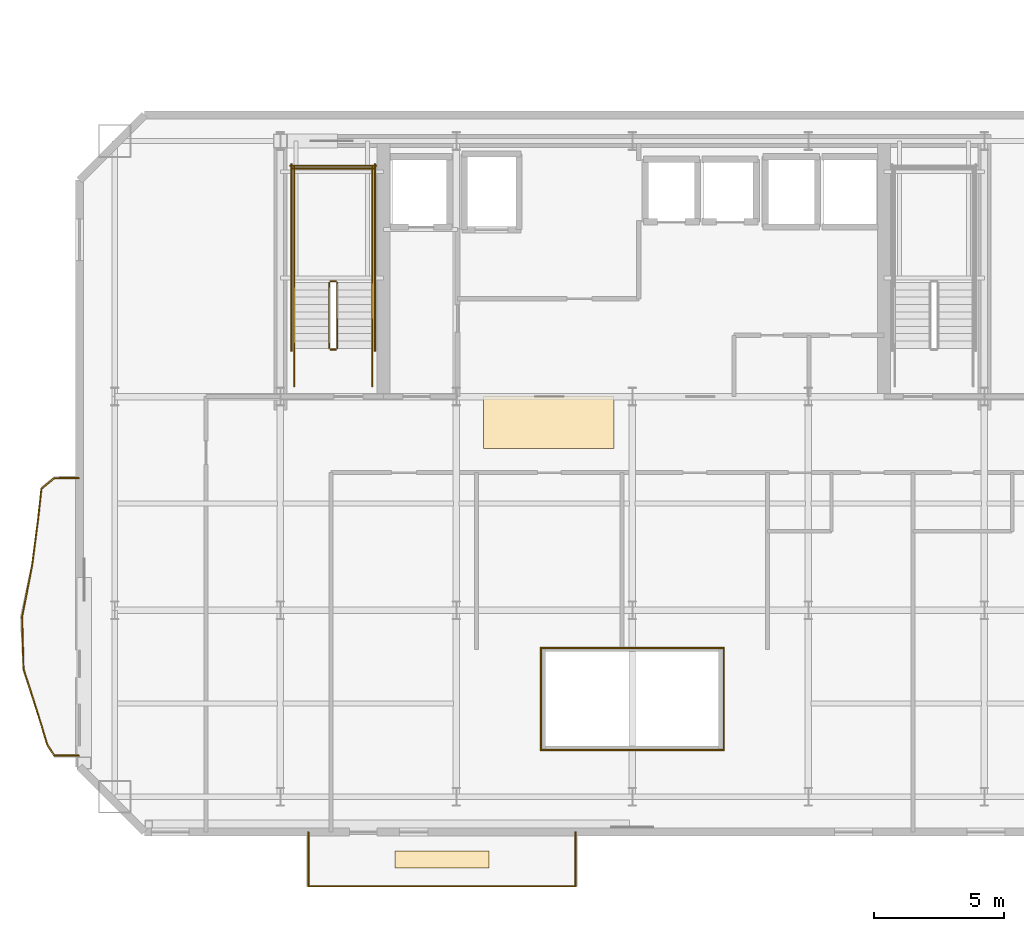
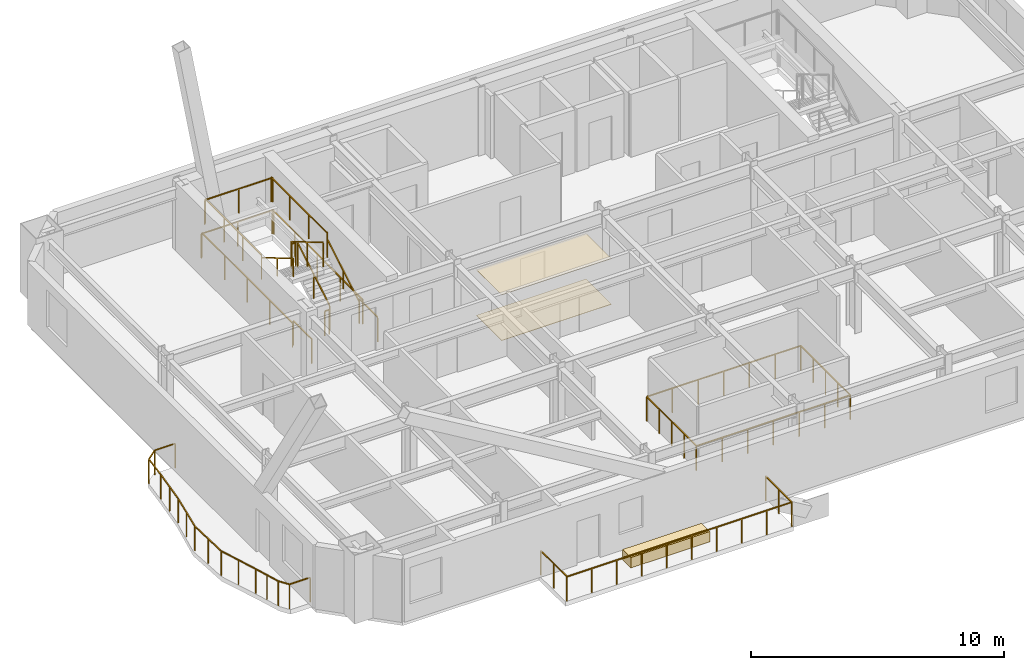
# One storey, part 10 of 13: 31 railings, 3 coverings.
"""IFC4 building model written with IfcOpenShell, lengths in metres."""

import ifcopenshell
import ifcopenshell.guid

model = None  # the IFC model being written
_history = None  # IfcOwnerHistory: only IFC2X3 demands one
_inside = {}  # id of a spatial element -> (the spatial element, [elements in it])
_under = {}  # id of a project, library or spatial element -> (it, [spatial elements below it])
_declared = {}  # id of a project -> (the project, [libraries it declares])
_typed = {}  # id of a type object -> (the type object, [elements of that type])
_made_of = {}  # id of a material, layer set ... -> (it, [elements and type objects made of it])


def new_model(schema):
    """Start an empty IFC model of exactly this schema.

    Asked for "IFC4X3", IfcOpenShell would pick the latest addendum, in which some entities
    have other attributes; the version numbers below select the first issue.
    IFC2X3 requires an IfcOwnerHistory on every rooted entity: one is made here for all.
    """
    global model, _history
    if schema == "IFC4X3":
        model = ifcopenshell.file(schema_version=(4, 3, 0, 0))
    else:
        model = ifcopenshell.file(schema=schema)
    _inside.clear()
    _under.clear()
    _declared.clear()
    _typed.clear()
    _made_of.clear()
    _history = None
    if model.schema == "IFC2X3":
        org = make("IfcOrganization", Name="unknown")
        user = make(
            "IfcPersonAndOrganization",
            ThePerson=make("IfcPerson", FamilyName="unknown"),
            TheOrganization=org,
        )
        app = make(
            "IfcApplication",
            ApplicationDeveloper=org,
            Version="unknown",
            ApplicationFullName="unknown",
            ApplicationIdentifier="unknown",
        )
        _history = make(
            "IfcOwnerHistory",
            OwningUser=user,
            OwningApplication=app,
            ChangeAction="ADDED",
            CreationDate=0,
        )
    return model


def make(cls, **values):
    """One entity of the class cls with the attributes given. An attribute that is None is left unset."""
    return model.create_entity(
        cls, **{name: value for name, value in values.items() if value is not None}
    )


def rooted(cls, **values):
    """An entity with a GlobalId (a new one), such as an element, a storey or a relation."""
    return make(cls, GlobalId=ifcopenshell.guid.new(), OwnerHistory=_history, **values)


def si_unit(unit_type, name, prefix=None):
    """IfcSIUnit, for example si_unit("LENGTHUNIT", "METRE", prefix="MILLI")."""
    return make("IfcSIUnit", UnitType=unit_type, Prefix=prefix, Name=name)


def assignment(units):
    """IfcUnitAssignment: the units of a project."""
    return None if units is None else make("IfcUnitAssignment", Units=units)


def point(xyz):
    """IfcCartesianPoint."""
    return None if xyz is None else make("IfcCartesianPoint", Coordinates=xyz)


def direction(xyz):
    """IfcDirection."""
    return None if xyz is None else make("IfcDirection", DirectionRatios=xyz)


def frame(location, z_axis=None, x_axis=None):
    """IfcAxis2Placement3D, a coordinate frame: its origin and axes. An axis left out is left unset."""
    return make(
        "IfcAxis2Placement3D",
        Location=point(location),
        Axis=direction(z_axis),
        RefDirection=direction(x_axis),
    )


def frame_2d(location, x_axis=None):
    """IfcAxis2Placement2D, a coordinate frame in the plane: its origin and x axis."""
    return make(
        "IfcAxis2Placement2D", Location=point(location), RefDirection=direction(x_axis)
    )


def origin():
    """The frame at (0, 0, 0) with its axes left unset."""
    return frame((0.0, 0.0, 0.0))


def origin_2d():
    """The frame at (0, 0) in the plane with its x axis left unset."""
    return frame_2d((0.0, 0.0))


def place(relative_to, where):
    """IfcLocalPlacement: puts the frame where relative to a parent placement (None: the world)."""
    return make(
        "IfcLocalPlacement", PlacementRelTo=relative_to, RelativePlacement=where
    )


def context(
    kind, dimensions, precision=None, world=None, true_north=None, identifier=None
):
    """IfcGeometricRepresentationContext, for example the 3D "Model" context."""
    return make(
        "IfcGeometricRepresentationContext",
        ContextIdentifier=identifier,
        ContextType=kind,
        CoordinateSpaceDimension=dimensions,
        Precision=precision,
        WorldCoordinateSystem=world,
        TrueNorth=true_north,
    )


def subcontext(parent, identifier, kind, view, scale=None):
    """IfcGeometricRepresentationSubContext, for example "Body" below "Model"."""
    return make(
        "IfcGeometricRepresentationSubContext",
        ContextIdentifier=identifier,
        ContextType=kind,
        ParentContext=parent,
        TargetScale=scale,
        TargetView=view,
    )


def project(units=None, contexts=None):
    """IfcProject with its units and contexts."""
    return rooted(
        "IfcProject",
        Name="project",
        RepresentationContexts=contexts,
        UnitsInContext=assignment(units),
    )


def spatial(cls, under=None, at=None, **own):
    """A site, building, storey or space (cls), placed at a placement, below another one or the project."""
    s = rooted(cls, ObjectPlacement=at, **own)
    if under is not None:
        _under.setdefault(under.id(), (under, []))[1].append(s)
    return s


def polyline(points):
    """IfcPolyline through the points."""
    return make("IfcPolyline", Points=[point(p) for p in points])


def profile(cls, at=None, kind="AREA", **sizes):
    """A parametric profile (cls). Its sizes go by their IFC names, for example OverallWidth=200.0."""
    return make(cls, ProfileType=kind, Position=at, **sizes)


def rectangle(**sizes):
    """IfcRectangleProfileDef."""
    return profile("IfcRectangleProfileDef", **sizes)


def outline(outer, holes=None, kind="AREA"):
    """IfcArbitraryClosedProfileDef: a profile drawn as a closed curve; with holes, ...WithVoids."""
    if holes is None:
        return make("IfcArbitraryClosedProfileDef", ProfileType=kind, OuterCurve=outer)
    return make(
        "IfcArbitraryProfileDefWithVoids",
        ProfileType=kind,
        OuterCurve=outer,
        InnerCurves=holes,
    )


def extrude(swept, where, along, depth):
    """IfcExtrudedAreaSolid: the profile swept, set in the frame where, extruded along a direction by depth."""
    return make(
        "IfcExtrudedAreaSolid",
        SweptArea=swept,
        Position=where,
        ExtrudedDirection=direction(along),
        Depth=depth,
    )


def shape(context_of_items, identifier, shape_type, items):
    """IfcShapeRepresentation: the items that make up one representation, for example the "Body"."""
    return make(
        "IfcShapeRepresentation",
        ContextOfItems=context_of_items,
        RepresentationIdentifier=identifier,
        RepresentationType=shape_type,
        Items=items,
    )


def material(Name=None, Category=None):
    """IfcMaterial."""
    return make("IfcMaterial", Name=Name, Category=Category)


def layer(
    of_material, thickness, ventilated=None, Name=None, Category=None, Priority=None
):
    """IfcMaterialLayer: one layer of a wall or slab, of a material (None: an air gap)."""
    return make(
        "IfcMaterialLayer",
        Material=of_material,
        LayerThickness=thickness,
        IsVentilated=ventilated,
        Name=Name,
        Category=Category,
        Priority=Priority,
    )


def layer_set(layers, Name=None):
    """IfcMaterialLayerSet."""
    return make("IfcMaterialLayerSet", MaterialLayers=layers, LayerSetName=Name)


def made_of(thing, what):
    """Note that an element or type object is made of a material, layer set ...; save() writes the relation."""
    if what is not None:
        _made_of.setdefault(what.id(), (what, []))[1].append(thing)
    return thing


def type_object(cls, material=None, **own):
    """A type object (cls), such as IfcWallType, which elements share."""
    return made_of(rooted(cls, **own), material)


def element(
    cls,
    number,
    at=None,
    inside=None,
    cuts=None,
    type_object=None,
    material=None,
    context=None,
    identifier="Body",
    shape_type=None,
    held_by="IfcProductDefinitionShape",
    body=None,
    shapes=None,
    **own,
):
    """One element of the class cls, such as IfcWall. Its Tag is "e" and its number.

    at: its placement. inside: the storey or other place that contains it. cuts: it is an
    opening in that element (IfcRelVoidsElement). A single representation is given by context,
    identifier, shape_type and body (its items); several are given by shapes. held_by: the class
    of the entity that holds the representations. save() writes the other relations.
    """
    e = rooted(cls, Tag="e%d" % number, ObjectPlacement=at, **own)
    if body is not None:
        shapes = [shape(context, identifier, shape_type, body)]
    if shapes is not None:
        e.Representation = make(held_by, Representations=shapes)
    if inside is not None:
        _inside.setdefault(inside.id(), (inside, []))[1].append(e)
    if cuts is not None:
        rooted(
            "IfcRelVoidsElement", RelatingBuildingElement=cuts, RelatedOpeningElement=e
        )
    if type_object is not None:
        _typed.setdefault(type_object.id(), (type_object, []))[1].append(e)
    return made_of(e, material)


def aggregate(whole, parts):
    """IfcRelAggregates: a whole, such as a stair, and the parts it consists of."""
    return rooted("IfcRelAggregates", RelatingObject=whole, RelatedObjects=parts)


def save(model, path):
    """Write the relations noted so far, then the file.

    IfcRelAggregates (storeys below a building ...), IfcRelContainedInSpatialStructure (elements
    in a storey), IfcRelDefinesByType, IfcRelAssociatesMaterial and IfcRelDeclares: one each for
    every whole, place, type object, material and project.
    """
    for whole, parts in _under.values():
        aggregate(whole, parts)
    for where, things in _inside.values():
        rooted(
            "IfcRelContainedInSpatialStructure",
            RelatedElements=things,
            RelatingStructure=where,
        )
    for kind, things in _typed.values():
        rooted("IfcRelDefinesByType", RelatedObjects=things, RelatingType=kind)
    for what, things in _made_of.values():
        rooted("IfcRelAssociatesMaterial", RelatedObjects=things, RelatingMaterial=what)
    for by, libraries in _declared.values():
        rooted("IfcRelDeclares", RelatingContext=by, RelatedDefinitions=libraries)
    model.write(path)


model = new_model("IFC4")

# Units and contexts
model_context = context("Model", 3, precision=1e-05, world=origin(), true_north=direction((0.0, 1.0)))
body_context = subcontext(model_context, "Body", "Model", "MODEL_VIEW")
ifc_project = project(units=[si_unit("LENGTHUNIT", "METRE"), si_unit("AREAUNIT", "SQUARE_METRE"), si_unit("VOLUMEUNIT", "CUBIC_METRE"), si_unit("PLANEANGLEUNIT", "RADIAN"), si_unit("MASSUNIT", "GRAM", prefix="KILO")], contexts=[model_context])

# Site, building, storey
site_placement = place(None, origin())
site = spatial("IfcSite", under=ifc_project, at=site_placement, CompositionType="ELEMENT")
building_placement = place(site_placement, origin())
building = spatial("IfcBuilding", under=site, at=building_placement, Name="Haevon Station Towers", CompositionType="ELEMENT")
storey_placement = place(building_placement, frame((0.0, 0.0, 146.10009765625)))
storey = spatial("IfcBuildingStorey", under=building, at=storey_placement, Name="L39", CompositionType="ELEMENT", Elevation=146.10009765625)

# Railings
ifc_material_1 = material(Name="Steel S355", Category="steel")
railing_type_1 = type_object("IfcRailingType", Name="BAL-ATR1200", PredefinedType="BALUSTRADE", material=ifc_material_1)
railing_1_placement = place(storey_placement, frame((33.995361328125, 24.641357421875, 0.0)))
element("IfcRailing", 1, at=railing_1_placement, inside=storey, type_object=railing_type_1, Name="L39 Atrium Void Balustrade 1", PredefinedType="BALUSTRADE", context=body_context, shape_type="SweptSolid", body=[
    extrude(rectangle(XDim=0.048095703125, YDim=0.048095703125, at=origin_2d()), frame((0.0, 0.0, 1.17578125), z_axis=(1.0, 0.0, 0.0), x_axis=(0.0, 1.0, 0.0)), (0.0, 0.0, 1.0), 7.00927734375),
    extrude(rectangle(XDim=0.0419921875, YDim=0.0419921875, at=origin_2d()), origin(), (0.0, 0.0, 1.0), 1.15185546875),
    extrude(rectangle(XDim=0.0419921875, YDim=0.0419921875, at=origin_2d()), frame((1.168212890625, 0.0, 0.0)), (0.0, 0.0, 1.0), 1.15185546875),
    extrude(rectangle(XDim=0.0419921875, YDim=0.0419921875, at=origin_2d()), frame((2.33642578125, 0.0, 0.0)), (0.0, 0.0, 1.0), 1.15185546875),
    extrude(rectangle(XDim=0.0419921875, YDim=0.0419921875, at=origin_2d()), frame((3.504638671875, 0.0, 0.0)), (0.0, 0.0, 1.0), 1.15185546875),
    extrude(rectangle(XDim=0.0419921875, YDim=0.0419921875, at=origin_2d()), frame((4.6728515625, 0.0, 0.0)), (0.0, 0.0, 1.0), 1.15185546875),
    extrude(rectangle(XDim=0.0419921875, YDim=0.0419921875, at=origin_2d()), frame((5.841064453125, 0.0, 0.0)), (0.0, 0.0, 1.0), 1.15185546875),
    extrude(rectangle(XDim=0.0419921875, YDim=0.0419921875, at=origin_2d()), frame((7.00927734375, 0.0, 0.0)), (0.0, 0.0, 1.0), 1.15185546875),
])
railing_2_placement = place(storey_placement, frame((41.004638671875, 24.641357421875, 0.0)))
element("IfcRailing", 2, at=railing_2_placement, inside=storey, type_object=railing_type_1, Name="L39 Atrium Void Balustrade 2", PredefinedType="BALUSTRADE", context=body_context, shape_type="SweptSolid", body=[
    extrude(rectangle(XDim=0.048095703125, YDim=0.048095703125, at=origin_2d()), frame((0.0, 0.0, 1.17578125), z_axis=(0.0, 1.0, 0.0), x_axis=(-1.0, 0.0, 0.0)), (0.0, 0.0, 1.0), 3.917236328125),
    extrude(rectangle(XDim=0.0419921875, YDim=0.0419921875, at=origin_2d()), origin(), (0.0, 0.0, 1.0), 1.15185546875),
    extrude(rectangle(XDim=0.0419921875, YDim=0.0419921875, at=origin_2d()), frame((0.0, 0.979248046875, 0.0)), (0.0, 0.0, 1.0), 1.15185546875),
    extrude(rectangle(XDim=0.0419921875, YDim=0.0419921875, at=origin_2d()), frame((0.0, 1.95849609375, 0.0)), (0.0, 0.0, 1.0), 1.15185546875),
    extrude(rectangle(XDim=0.0419921875, YDim=0.0419921875, at=origin_2d()), frame((0.0, 2.93798828125, 0.0)), (0.0, 0.0, 1.0), 1.15185546875),
    extrude(rectangle(XDim=0.0419921875, YDim=0.0419921875, at=origin_2d()), frame((0.0, 3.917236328125, 0.0)), (0.0, 0.0, 1.0), 1.15185546875),
])
railing_3_placement = place(storey_placement, frame((41.004638671875, 28.55859375, 0.0)))
element("IfcRailing", 3, at=railing_3_placement, inside=storey, type_object=railing_type_1, Name="L39 Atrium Void Balustrade 3", PredefinedType="BALUSTRADE", context=body_context, shape_type="SweptSolid", body=[
    extrude(rectangle(XDim=0.048095703125, YDim=0.048095703125, at=origin_2d()), frame((0.0, 0.0, 1.17578125), z_axis=(-1.0, 0.0, 0.0), x_axis=(0.0, -1.0, 0.0)), (0.0, 0.0, 1.0), 7.00927734375),
    extrude(rectangle(XDim=0.0419921875, YDim=0.0419921875, at=origin_2d()), origin(), (0.0, 0.0, 1.0), 1.15185546875),
    extrude(rectangle(XDim=0.0419921875, YDim=0.0419921875, at=origin_2d()), frame((-1.168212890625, 0.0, 0.0)), (0.0, 0.0, 1.0), 1.15185546875),
    extrude(rectangle(XDim=0.0419921875, YDim=0.0419921875, at=origin_2d()), frame((-2.33642578125, 0.0, 0.0)), (0.0, 0.0, 1.0), 1.15185546875),
    extrude(rectangle(XDim=0.0419921875, YDim=0.0419921875, at=origin_2d()), frame((-3.504638671875, 0.0, 0.0)), (0.0, 0.0, 1.0), 1.15185546875),
    extrude(rectangle(XDim=0.0419921875, YDim=0.0419921875, at=origin_2d()), frame((-4.6728515625, 0.0, 0.0)), (0.0, 0.0, 1.0), 1.15185546875),
    extrude(rectangle(XDim=0.0419921875, YDim=0.0419921875, at=origin_2d()), frame((-5.841064453125, 0.0, 0.0)), (0.0, 0.0, 1.0), 1.15185546875),
    extrude(rectangle(XDim=0.0419921875, YDim=0.0419921875, at=origin_2d()), frame((-7.00927734375, 0.0, 0.0)), (0.0, 0.0, 1.0), 1.15185546875),
])
railing_4_placement = place(storey_placement, frame((33.995361328125, 28.55859375, 0.0)))
element("IfcRailing", 4, at=railing_4_placement, inside=storey, type_object=railing_type_1, Name="L39 Atrium Void Balustrade 4", PredefinedType="BALUSTRADE", context=body_context, shape_type="SweptSolid", body=[
    extrude(rectangle(XDim=0.048095703125, YDim=0.048095703125, at=origin_2d()), frame((0.0, 0.0, 1.17578125), z_axis=(0.0, -1.0, 0.0), x_axis=(1.0, 0.0, 0.0)), (0.0, 0.0, 1.0), 3.917236328125),
    extrude(rectangle(XDim=0.0419921875, YDim=0.0419921875, at=origin_2d()), origin(), (0.0, 0.0, 1.0), 1.15185546875),
    extrude(rectangle(XDim=0.0419921875, YDim=0.0419921875, at=origin_2d()), frame((0.0, -0.979248046875, 0.0)), (0.0, 0.0, 1.0), 1.15185546875),
    extrude(rectangle(XDim=0.0419921875, YDim=0.0419921875, at=origin_2d()), frame((0.0, -1.95849609375, 0.0)), (0.0, 0.0, 1.0), 1.15185546875),
    extrude(rectangle(XDim=0.0419921875, YDim=0.0419921875, at=origin_2d()), frame((0.0, -2.93798828125, 0.0)), (0.0, 0.0, 1.0), 1.15185546875),
    extrude(rectangle(XDim=0.0419921875, YDim=0.0419921875, at=origin_2d()), frame((0.0, -3.917236328125, 0.0)), (0.0, 0.0, 1.0), 1.15185546875),
])

# Coverings
ifc_material_2 = material(Name="Gypsum acoustic ceiling tile", Category="concrete")
ifc_layer_1 = layer(ifc_material_2, 0.014892578125)
ifc_layer_set_1 = layer_set([ifc_layer_1], Name="Gypsum acoustic ceiling tile")
covering_type_1 = type_object("IfcCoveringType", Name="COV-CEIL15", PredefinedType="CEILING", material=ifc_layer_set_1)
covering_1_placement = place(storey_placement, frame((0.0, 0.0, 2.199951171875)))
element("IfcCovering", 5, at=covering_1_placement, inside=storey, type_object=covering_type_1, Name="L39 Acoustic Corridor Ceiling", PredefinedType="CEILING", context=body_context, shape_type="SweptSolid", body=[
    extrude(outline(polyline([(31.800048828125, 36.199951171875), (36.800048828125, 36.199951171875), (36.800048828125, 38.199951171875), (31.800048828125, 38.199951171875), (31.800048828125, 36.199951171875)])), origin(), (0.0, 0.0, 1.0), 0.014892578125),
])
ifc_material_3 = material(Name="Granite stone paving", Category="masonry")
ifc_layer_2 = layer(ifc_material_3, 0.02001953125)
ifc_layer_set_2 = layer_set([ifc_layer_2], Name="Granite stone paving")
covering_type_2 = type_object("IfcCoveringType", Name="COV-FLR20", PredefinedType="FLOORING", material=ifc_layer_set_2)
covering_2_placement = place(storey_placement, origin())
element("IfcCovering", 6, at=covering_2_placement, inside=storey, type_object=covering_type_2, Name="L39 Corridor Stone Flooring", PredefinedType="FLOORING", context=body_context, shape_type="SweptSolid", body=[
    extrude(outline(polyline([(31.800048828125, 36.199951171875), (36.800048828125, 36.199951171875), (36.800048828125, 38.199951171875), (31.800048828125, 38.199951171875), (31.800048828125, 36.199951171875)])), origin(), (0.0, 0.0, 1.0), 0.02001953125),
])

# Railings
railing_type_2 = type_object("IfcRailingType", Name="GRD-EXT1200", PredefinedType="GUARDRAIL", material=ifc_material_1)
railing_5_placement = place(storey_placement, frame((16.276611328125, 35.072265625, 0.0)))
element("IfcRailing", 7, at=railing_5_placement, inside=storey, type_object=railing_type_2, Name="L39 Perimeter Guardrail 1", PredefinedType="GUARDRAIL", context=body_context, shape_type="SweptSolid", body=[
    extrude(rectangle(XDim=0.048095703125, YDim=0.048095703125, at=origin_2d()), frame((0.0, 0.0, 1.17578125), z_axis=(-0.999997290248, -0.002327981276, 0.0), x_axis=(0.002327981276, -0.999997290248, 0.0)), (0.0, 0.0, 1.0), 0.94384765625),
    extrude(rectangle(XDim=0.0419921875, YDim=0.0419921875, at=origin_2d()), origin(), (0.0, 0.0, 1.0), 1.15185546875),
    extrude(rectangle(XDim=0.0419921875, YDim=0.0419921875, at=origin_2d()), frame((-0.94384765625, -0.002197265625, 0.0)), (0.0, 0.0, 1.0), 1.15185546875),
])
railing_6_placement = place(storey_placement, frame((15.332763671875, 35.070068359375, 0.0)))
element("IfcRailing", 8, at=railing_6_placement, inside=storey, type_object=railing_type_2, Name="L39 Perimeter Guardrail 2", PredefinedType="GUARDRAIL", context=body_context, shape_type="SweptSolid", body=[
    extrude(rectangle(XDim=0.048095703125, YDim=0.048095703125, at=origin_2d()), frame((0.0, 0.0, 1.17578125), z_axis=(-0.771187673491, -0.636607863803, 0.0), x_axis=(0.636607863803, -0.771187673491, 0.0)), (0.0, 0.0, 1.0), 0.645751953125),
    extrude(rectangle(XDim=0.0419921875, YDim=0.0419921875, at=origin_2d()), origin(), (0.0, 0.0, 1.0), 1.15185546875),
    extrude(rectangle(XDim=0.0419921875, YDim=0.0419921875, at=origin_2d()), frame((-0.498046875, -0.4111328125, 0.0)), (0.0, 0.0, 1.0), 1.15185546875),
])
railing_7_placement = place(storey_placement, frame((14.834716796875, 34.658935546875, 0.0)))
element("IfcRailing", 9, at=railing_7_placement, inside=storey, type_object=railing_type_2, Name="L39 Perimeter Guardrail 3", PredefinedType="GUARDRAIL", context=body_context, shape_type="SweptSolid", body=[
    extrude(rectangle(XDim=0.048095703125, YDim=0.048095703125, at=origin_2d()), frame((0.0, 0.0, 1.17578125), z_axis=(-0.108246304378, -0.994124105727, 0.0), x_axis=(0.994124105727, -0.108246304378, 0.0)), (0.0, 0.0, 1.0), 1.17724609375),
    extrude(rectangle(XDim=0.0419921875, YDim=0.0419921875, at=origin_2d()), origin(), (0.0, 0.0, 1.0), 1.15185546875),
    extrude(rectangle(XDim=0.0419921875, YDim=0.0419921875, at=origin_2d()), frame((-0.12744140625, -1.17041015625, 0.0)), (0.0, 0.0, 1.0), 1.15185546875),
])
railing_8_placement = place(storey_placement, frame((14.707275390625, 33.488525390625, 0.0)))
element("IfcRailing", 10, at=railing_8_placement, inside=storey, type_object=railing_type_2, Name="L39 Perimeter Guardrail 4", PredefinedType="GUARDRAIL", context=body_context, shape_type="SweptSolid", body=[
    extrude(rectangle(XDim=0.048095703125, YDim=0.048095703125, at=origin_2d()), frame((0.0, 0.0, 1.17578125), z_axis=(-0.128853983345, -0.991663577518, 0.0), x_axis=(0.991663577518, -0.128853983345, 0.0)), (0.0, 0.0, 1.0), 1.763916015625),
    extrude(rectangle(XDim=0.0419921875, YDim=0.0419921875, at=origin_2d()), origin(), (0.0, 0.0, 1.0), 1.15185546875),
    extrude(rectangle(XDim=0.0419921875, YDim=0.0419921875, at=origin_2d()), frame((-0.11376953125, -0.87451171875, 0.0)), (0.0, 0.0, 1.0), 1.15185546875),
    extrude(rectangle(XDim=0.0419921875, YDim=0.0419921875, at=origin_2d()), frame((-0.227294921875, -1.749267578125, 0.0)), (0.0, 0.0, 1.0), 1.15185546875),
])
railing_9_placement = place(storey_placement, frame((14.47998046875, 31.7392578125, 0.0)))
element("IfcRailing", 11, at=railing_9_placement, inside=storey, type_object=railing_type_2, Name="L39 Perimeter Guardrail 5", PredefinedType="GUARDRAIL", context=body_context, shape_type="SweptSolid", body=[
    extrude(rectangle(XDim=0.048095703125, YDim=0.048095703125, at=origin_2d()), frame((0.0, 0.0, 1.17578125), z_axis=(-0.189785858482, -0.981825507878, 0.0), x_axis=(0.981825507878, -0.189785858482, 0.0)), (0.0, 0.0, 1.0), 2.026123046875),
    extrude(rectangle(XDim=0.0419921875, YDim=0.0419921875, at=origin_2d()), origin(), (0.0, 0.0, 1.0), 1.15185546875),
    extrude(rectangle(XDim=0.0419921875, YDim=0.0419921875, at=origin_2d()), frame((-0.1923828125, -0.99462890625, 0.0)), (0.0, 0.0, 1.0), 1.15185546875),
    extrude(rectangle(XDim=0.0419921875, YDim=0.0419921875, at=origin_2d()), frame((-0.384521484375, -1.9892578125, 0.0)), (0.0, 0.0, 1.0), 1.15185546875),
])
railing_10_placement = place(storey_placement, frame((14.095458984375, 29.75, 0.0)))
element("IfcRailing", 12, at=railing_10_placement, inside=storey, type_object=railing_type_2, Name="L39 Perimeter Guardrail 6", PredefinedType="GUARDRAIL", context=body_context, shape_type="SweptSolid", body=[
    extrude(rectangle(XDim=0.048095703125, YDim=0.048095703125, at=origin_2d()), frame((0.0, 0.0, 1.17578125), z_axis=(0.026448363433, -0.999650180849, 0.0), x_axis=(0.999650180849, 0.026448363433, 0.0)), (0.0, 0.0, 1.0), 1.993896484375),
    extrude(rectangle(XDim=0.0419921875, YDim=0.0419921875, at=origin_2d()), origin(), (0.0, 0.0, 1.0), 1.15185546875),
    extrude(rectangle(XDim=0.0419921875, YDim=0.0419921875, at=origin_2d()), frame((0.0263671875, -0.99658203125, 0.0)), (0.0, 0.0, 1.0), 1.15185546875),
    extrude(rectangle(XDim=0.0419921875, YDim=0.0419921875, at=origin_2d()), frame((0.052734375, -1.9931640625, 0.0)), (0.0, 0.0, 1.0), 1.15185546875),
])
railing_11_placement = place(storey_placement, frame((14.148193359375, 27.7568359375, 0.0)))
element("IfcRailing", 13, at=railing_11_placement, inside=storey, type_object=railing_type_2, Name="L39 Perimeter Guardrail 7", PredefinedType="GUARDRAIL", context=body_context, shape_type="SweptSolid", body=[
    extrude(rectangle(XDim=0.048095703125, YDim=0.048095703125, at=origin_2d()), frame((0.0, 0.0, 1.17578125), z_axis=(0.30505605899, -0.952334395511, 0.0), x_axis=(0.952334395511, 0.30505605899, 0.0)), (0.0, 0.0, 1.0), 1.832763671875),
    extrude(rectangle(XDim=0.0419921875, YDim=0.0419921875, at=origin_2d()), origin(), (0.0, 0.0, 1.0), 1.15185546875),
    extrude(rectangle(XDim=0.0419921875, YDim=0.0419921875, at=origin_2d()), frame((0.279541015625, -0.87255859375, 0.0)), (0.0, 0.0, 1.0), 1.15185546875),
    extrude(rectangle(XDim=0.0419921875, YDim=0.0419921875, at=origin_2d()), frame((0.55908203125, -1.745361328125, 0.0)), (0.0, 0.0, 1.0), 1.15185546875),
])
railing_12_placement = place(storey_placement, frame((14.707275390625, 26.011474609375, 0.0)))
element("IfcRailing", 14, at=railing_12_placement, inside=storey, type_object=railing_type_2, Name="L39 Perimeter Guardrail 8", PredefinedType="GUARDRAIL", context=body_context, shape_type="SweptSolid", body=[
    extrude(rectangle(XDim=0.048095703125, YDim=0.048095703125, at=origin_2d()), frame((0.0, 0.0, 1.17578125), z_axis=(0.289508622914, -0.95717540569, 0.0), x_axis=(0.95717540569, 0.289508622914, 0.0)), (0.0, 0.0, 1.0), 1.22265625),
    extrude(rectangle(XDim=0.0419921875, YDim=0.0419921875, at=origin_2d()), origin(), (0.0, 0.0, 1.0), 1.15185546875),
    extrude(rectangle(XDim=0.0419921875, YDim=0.0419921875, at=origin_2d()), frame((0.177001953125, -0.585205078125, 0.0)), (0.0, 0.0, 1.0), 1.15185546875),
    extrude(rectangle(XDim=0.0419921875, YDim=0.0419921875, at=origin_2d()), frame((0.35400390625, -1.17041015625, 0.0)), (0.0, 0.0, 1.0), 1.15185546875),
])
railing_13_placement = place(storey_placement, frame((15.061279296875, 24.841064453125, 0.0)))
element("IfcRailing", 15, at=railing_13_placement, inside=storey, type_object=railing_type_2, Name="L39 Perimeter Guardrail 9", PredefinedType="GUARDRAIL", context=body_context, shape_type="SweptSolid", body=[
    extrude(rectangle(XDim=0.048095703125, YDim=0.048095703125, at=origin_2d()), frame((0.0, 0.0, 1.17578125), z_axis=(0.551035492448, -0.834481806909, 0.0), x_axis=(0.834481806909, 0.551035492448, 0.0)), (0.0, 0.0, 1.0), 0.49267578125),
    extrude(rectangle(XDim=0.0419921875, YDim=0.0419921875, at=origin_2d()), origin(), (0.0, 0.0, 1.0), 1.15185546875),
    extrude(rectangle(XDim=0.0419921875, YDim=0.0419921875, at=origin_2d()), frame((0.271484375, -0.4111328125, 0.0)), (0.0, 0.0, 1.0), 1.15185546875),
])
railing_14_placement = place(storey_placement, frame((15.332763671875, 24.429931640625, 0.0)))
element("IfcRailing", 16, at=railing_14_placement, inside=storey, type_object=railing_type_2, Name="L39 Perimeter Guardrail 10", PredefinedType="GUARDRAIL", context=body_context, shape_type="SweptSolid", body=[
    extrude(rectangle(XDim=0.048095703125, YDim=0.048095703125, at=origin_2d()), frame((0.0, 0.0, 1.17578125), z_axis=(0.999997290248, -0.002327981276, 0.0), x_axis=(0.002327981276, 0.999997290248, 0.0)), (0.0, 0.0, 1.0), 0.94384765625),
    extrude(rectangle(XDim=0.0419921875, YDim=0.0419921875, at=origin_2d()), origin(), (0.0, 0.0, 1.0), 1.15185546875),
    extrude(rectangle(XDim=0.0419921875, YDim=0.0419921875, at=origin_2d()), frame((0.94384765625, -0.002197265625, 0.0)), (0.0, 0.0, 1.0), 1.15185546875),
])
railing_15_placement = place(storey_placement, frame((25.078369140625, 19.415771484375, 0.0)))
element("IfcRailing", 17, at=railing_15_placement, inside=storey, type_object=railing_type_2, Name="L39 Perimeter Guardrail 1", PredefinedType="GUARDRAIL", context=body_context, shape_type="SweptSolid", body=[
    extrude(rectangle(XDim=0.048095703125, YDim=0.048095703125, at=origin_2d()), frame((0.0, 0.0, 1.17578125), z_axis=(1.0, 0.0, 0.0), x_axis=(0.0, 1.0, 0.0)), (0.0, 0.0, 1.0), 10.2431640625),
    extrude(rectangle(XDim=0.0419921875, YDim=0.0419921875, at=origin_2d()), origin(), (0.0, 0.0, 1.0), 1.15185546875),
    extrude(rectangle(XDim=0.0419921875, YDim=0.0419921875, at=origin_2d()), frame((1.13818359375, 0.0, 0.0)), (0.0, 0.0, 1.0), 1.15185546875),
    extrude(rectangle(XDim=0.0419921875, YDim=0.0419921875, at=origin_2d()), frame((2.2763671875, 0.0, 0.0)), (0.0, 0.0, 1.0), 1.15185546875),
    extrude(rectangle(XDim=0.0419921875, YDim=0.0419921875, at=origin_2d()), frame((3.414306640625, 0.0, 0.0)), (0.0, 0.0, 1.0), 1.15185546875),
    extrude(rectangle(XDim=0.0419921875, YDim=0.0419921875, at=origin_2d()), frame((4.552490234375, 0.0, 0.0)), (0.0, 0.0, 1.0), 1.15185546875),
    extrude(rectangle(XDim=0.0419921875, YDim=0.0419921875, at=origin_2d()), frame((5.690673828125, 0.0, 0.0)), (0.0, 0.0, 1.0), 1.15185546875),
    extrude(rectangle(XDim=0.0419921875, YDim=0.0419921875, at=origin_2d()), frame((6.828857421875, 0.0, 0.0)), (0.0, 0.0, 1.0), 1.15185546875),
    extrude(rectangle(XDim=0.0419921875, YDim=0.0419921875, at=origin_2d()), frame((7.966796875, 0.0, 0.0)), (0.0, 0.0, 1.0), 1.15185546875),
    extrude(rectangle(XDim=0.0419921875, YDim=0.0419921875, at=origin_2d()), frame((9.10498046875, 0.0, 0.0)), (0.0, 0.0, 1.0), 1.15185546875),
    extrude(rectangle(XDim=0.0419921875, YDim=0.0419921875, at=origin_2d()), frame((10.2431640625, 0.0, 0.0)), (0.0, 0.0, 1.0), 1.15185546875),
])
railing_16_placement = place(storey_placement, frame((35.321533203125, 19.415771484375, 0.0)))
element("IfcRailing", 18, at=railing_16_placement, inside=storey, type_object=railing_type_2, Name="L39 Perimeter Guardrail 2", PredefinedType="GUARDRAIL", context=body_context, shape_type="SweptSolid", body=[
    extrude(rectangle(XDim=0.048095703125, YDim=0.048095703125, at=origin_2d()), frame((0.0, 0.0, 1.17578125), z_axis=(0.0, 1.0, 0.0), x_axis=(-1.0, 0.0, 0.0)), (0.0, 0.0, 1.0), 2.0634765625),
    extrude(rectangle(XDim=0.0419921875, YDim=0.0419921875, at=origin_2d()), origin(), (0.0, 0.0, 1.0), 1.15185546875),
    extrude(rectangle(XDim=0.0419921875, YDim=0.0419921875, at=origin_2d()), frame((0.0, 1.03173828125, 0.0)), (0.0, 0.0, 1.0), 1.15185546875),
    extrude(rectangle(XDim=0.0419921875, YDim=0.0419921875, at=origin_2d()), frame((0.0, 2.0634765625, 0.0)), (0.0, 0.0, 1.0), 1.15185546875),
])
railing_17_placement = place(storey_placement, frame((25.078369140625, 21.479248046875, 0.0)))
element("IfcRailing", 19, at=railing_17_placement, inside=storey, type_object=railing_type_2, Name="L39 Perimeter Guardrail 3", PredefinedType="GUARDRAIL", context=body_context, shape_type="SweptSolid", body=[
    extrude(rectangle(XDim=0.048095703125, YDim=0.048095703125, at=origin_2d()), frame((0.0, 0.0, 1.17578125), z_axis=(0.0, -1.0, 0.0), x_axis=(1.0, 0.0, 0.0)), (0.0, 0.0, 1.0), 2.0634765625),
    extrude(rectangle(XDim=0.0419921875, YDim=0.0419921875, at=origin_2d()), origin(), (0.0, 0.0, 1.0), 1.15185546875),
    extrude(rectangle(XDim=0.0419921875, YDim=0.0419921875, at=origin_2d()), frame((0.0, -1.03173828125, 0.0)), (0.0, 0.0, 1.0), 1.15185546875),
    extrude(rectangle(XDim=0.0419921875, YDim=0.0419921875, at=origin_2d()), frame((0.0, -2.0634765625, 0.0)), (0.0, 0.0, 1.0), 1.15185546875),
])
railing_type_3 = type_object("IfcRailingType", Name="GRD-STR1200", PredefinedType="GUARDRAIL", material=ifc_material_1)
railing_18_placement = place(storey_placement, frame((26.179931640625, 40.050048828125, 0.164794921875)))
element("IfcRailing", 20, at=railing_18_placement, inside=storey, type_object=railing_type_3, Name="L39 ST1 Stair Guard 1", PredefinedType="GUARDRAIL", context=body_context, shape_type="SweptSolid", body=[
    extrude(rectangle(XDim=0.048095703125, YDim=0.048095703125, at=origin_2d()), frame((0.0, 0.0, 1.17578125), z_axis=(0.0, 0.86152411907, 0.507716645641), x_axis=(-1.0, 0.0, 0.0)), (0.0, 0.0, 1.0), 2.925048828125),
    extrude(rectangle(XDim=0.0419921875, YDim=0.0419921875, at=origin_2d()), origin(), (0.0, 0.0, 1.0), 1.15185546875),
    extrude(rectangle(XDim=0.0419921875, YDim=0.0419921875, at=origin_2d()), frame((0.0, 1.260009765625, 0.74267578125)), (0.0, 0.0, 1.0), 1.15185546875),
    extrude(rectangle(XDim=0.0419921875, YDim=0.0419921875, at=origin_2d()), frame((0.0, 2.52001953125, 1.485107421875)), (0.0, 0.0, 1.0), 1.15185546875),
])
railing_19_placement = place(storey_placement, frame((26.1298828125, 42.6201171875, 1.64990234375)))
element("IfcRailing", 21, at=railing_19_placement, inside=storey, type_object=railing_type_3, Name="L39 ST1 Stair Guard 2", PredefinedType="GUARDRAIL", context=body_context, shape_type="SweptSolid", body=[
    extrude(rectangle(XDim=0.048095703125, YDim=0.048095703125, at=origin_2d()), frame((0.0, 0.0, 1.17578125), z_axis=(-1.0, 0.0, 0.0), x_axis=(0.0, -1.0, 0.0)), (0.0, 0.0, 1.0), 0.199951171875),
    extrude(rectangle(XDim=0.0419921875, YDim=0.0419921875, at=origin_2d()), origin(), (0.0, 0.0, 1.0), 1.15185546875),
    extrude(rectangle(XDim=0.0419921875, YDim=0.0419921875, at=origin_2d()), frame((-0.199951171875, 0.0, 0.0)), (0.0, 0.0, 1.0), 1.15185546875),
])
for number, where, name in (
    (22, (27.530029296875, 42.570068359375, 1.64990234375), "L39 ST1 Stair Guard 3"),
    (23, (24.530029296875, 42.570068359375, 1.64990234375), "L39 ST1 Stair Guard 4"),
):
    element("IfcRailing", number, at=place(storey_placement, frame(where)), inside=storey, type_object=railing_type_3, Name=name, PredefinedType="GUARDRAIL", context=body_context, shape_type="SweptSolid", body=[
        extrude(rectangle(XDim=0.048095703125, YDim=0.048095703125, at=origin_2d()), frame((0.0, 0.0, 1.17578125), z_axis=(0.0, 1.0, 0.0), x_axis=(-1.0, 0.0, 0.0)), (0.0, 0.0, 1.0), 4.429931640625),
        extrude(rectangle(XDim=0.0419921875, YDim=0.0419921875, at=origin_2d()), origin(), (0.0, 0.0, 1.0), 1.15185546875),
        extrude(rectangle(XDim=0.0419921875, YDim=0.0419921875, at=origin_2d()), frame((0.0, 1.4765625, 0.0)), (0.0, 0.0, 1.0), 1.15185546875),
        extrude(rectangle(XDim=0.0419921875, YDim=0.0419921875, at=origin_2d()), frame((0.0, 2.953369140625, 0.0)), (0.0, 0.0, 1.0), 1.15185546875),
        extrude(rectangle(XDim=0.0419921875, YDim=0.0419921875, at=origin_2d()), frame((0.0, 4.429931640625, 0.0)), (0.0, 0.0, 1.0), 1.15185546875),
    ])
railing_20_placement = place(storey_placement, frame((27.580078125, 46.949951171875, 1.64990234375)))
element("IfcRailing", 24, at=railing_20_placement, inside=storey, type_object=railing_type_3, Name="L39 ST1 Stair Guard 5", PredefinedType="GUARDRAIL", context=body_context, shape_type="SweptSolid", body=[
    extrude(rectangle(XDim=0.048095703125, YDim=0.048095703125, at=origin_2d()), frame((0.0, 0.0, 1.17578125), z_axis=(-1.0, 0.0, 0.0), x_axis=(0.0, -1.0, 0.0)), (0.0, 0.0, 1.0), 3.10009765625),
    extrude(rectangle(XDim=0.0419921875, YDim=0.0419921875, at=origin_2d()), origin(), (0.0, 0.0, 1.0), 1.15185546875),
    extrude(rectangle(XDim=0.0419921875, YDim=0.0419921875, at=origin_2d()), frame((-1.550048828125, 0.0, 0.0)), (0.0, 0.0, 1.0), 1.15185546875),
    extrude(rectangle(XDim=0.0419921875, YDim=0.0419921875, at=origin_2d()), frame((-3.10009765625, 0.0, 0.0)), (0.0, 0.0, 1.0), 1.15185546875),
])
railing_21_placement = place(storey_placement, frame((25.8798828125, 42.570068359375, 1.81494140625)))
element("IfcRailing", 25, at=railing_21_placement, inside=storey, type_object=railing_type_3, Name="L39 ST1 Stair Guard 6", PredefinedType="GUARDRAIL", context=body_context, shape_type="SweptSolid", body=[
    extrude(rectangle(XDim=0.048095703125, YDim=0.048095703125, at=origin_2d()), frame((0.0, 0.0, 1.17578125), z_axis=(0.0, -0.861560626758, 0.507654692109), x_axis=(1.0, 0.0, 0.0)), (0.0, 0.0, 1.0), 2.925048828125),
    extrude(rectangle(XDim=0.0419921875, YDim=0.0419921875, at=origin_2d()), origin(), (0.0, 0.0, 1.0), 1.15185546875),
    extrude(rectangle(XDim=0.0419921875, YDim=0.0419921875, at=origin_2d()), frame((0.0, -1.260009765625, 0.742431640625)), (0.0, 0.0, 1.0), 1.15185546875),
    extrude(rectangle(XDim=0.0419921875, YDim=0.0419921875, at=origin_2d()), frame((0.0, -2.52001953125, 1.48486328125)), (0.0, 0.0, 1.0), 1.15185546875),
])
railing_22_placement = place(storey_placement, frame((26.1298828125, 40.0, 0.0)))
element("IfcRailing", 26, at=railing_22_placement, inside=storey, type_object=railing_type_3, Name="L39 ST1 Stair Guard 7", PredefinedType="GUARDRAIL", context=body_context, shape_type="SweptSolid", body=[
    extrude(rectangle(XDim=0.048095703125, YDim=0.048095703125, at=origin_2d()), frame((0.0, 0.0, 1.17578125), z_axis=(-1.0, 0.0, 0.0), x_axis=(0.0, -1.0, 0.0)), (0.0, 0.0, 1.0), 0.199951171875),
    extrude(rectangle(XDim=0.0419921875, YDim=0.0419921875, at=origin_2d()), origin(), (0.0, 0.0, 1.0), 1.15185546875),
    extrude(rectangle(XDim=0.0419921875, YDim=0.0419921875, at=origin_2d()), frame((-0.199951171875, 0.0, 0.0)), (0.0, 0.0, 1.0), 1.15185546875),
])
for number, where, name in (
    (27, (27.530029296875, 38.60009765625, 0.0), "L39 ST1 Stair Guard 8"),
    (28, (24.530029296875, 38.60009765625, 0.0), "L39 ST1 Stair Guard 9"),
):
    element("IfcRailing", number, at=place(storey_placement, frame(where)), inside=storey, type_object=railing_type_3, Name=name, PredefinedType="GUARDRAIL", context=body_context, shape_type="SweptSolid", body=[
        extrude(rectangle(XDim=0.048095703125, YDim=0.048095703125, at=origin_2d()), frame((0.0, 0.0, 1.17578125), z_axis=(0.0, 1.0, 0.0), x_axis=(-1.0, 0.0, 0.0)), (0.0, 0.0, 1.0), 1.449951171875),
        extrude(rectangle(XDim=0.0419921875, YDim=0.0419921875, at=origin_2d()), origin(), (0.0, 0.0, 1.0), 1.15185546875),
        extrude(rectangle(XDim=0.0419921875, YDim=0.0419921875, at=origin_2d()), frame((0.0, 1.449951171875, 0.0)), (0.0, 0.0, 1.0), 1.15185546875),
    ])
for number, where, name in (
    (29, (27.6298828125, 39.949951171875, 0.0), "L39 ST1 Stair Guard 10"),
    (30, (24.429931640625, 39.949951171875, 0.0), "L39 ST1 Stair Guard 11"),
):
    element("IfcRailing", number, at=place(storey_placement, frame(where)), inside=storey, type_object=railing_type_3, Name=name, PredefinedType="GUARDRAIL", context=body_context, shape_type="SweptSolid", body=[
        extrude(rectangle(XDim=0.048095703125, YDim=0.048095703125, at=origin_2d()), frame((0.0, 0.0, 1.17578125), z_axis=(0.0, 1.0, 0.0), x_axis=(-1.0, 0.0, 0.0)), (0.0, 0.0, 1.0), 7.150146484375),
        extrude(rectangle(XDim=0.0419921875, YDim=0.0419921875, at=origin_2d()), origin(), (0.0, 0.0, 1.0), 1.15185546875),
        extrude(rectangle(XDim=0.0419921875, YDim=0.0419921875, at=origin_2d()), frame((0.0, 1.78759765625, 0.0)), (0.0, 0.0, 1.0), 1.15185546875),
        extrude(rectangle(XDim=0.0419921875, YDim=0.0419921875, at=origin_2d()), frame((0.0, 3.5751953125, 0.0)), (0.0, 0.0, 1.0), 1.15185546875),
        extrude(rectangle(XDim=0.0419921875, YDim=0.0419921875, at=origin_2d()), frame((0.0, 5.362548828125, 0.0)), (0.0, 0.0, 1.0), 1.15185546875),
        extrude(rectangle(XDim=0.0419921875, YDim=0.0419921875, at=origin_2d()), frame((0.0, 7.150146484375, 0.0)), (0.0, 0.0, 1.0), 1.15185546875),
    ])
railing_23_placement = place(storey_placement, frame((27.679931640625, 47.050048828125, 0.0)))
element("IfcRailing", 31, at=railing_23_placement, inside=storey, type_object=railing_type_3, Name="L39 ST1 Stair Guard 12", PredefinedType="GUARDRAIL", context=body_context, shape_type="SweptSolid", body=[
    extrude(rectangle(XDim=0.048095703125, YDim=0.048095703125, at=origin_2d()), frame((0.0, 0.0, 1.17578125), z_axis=(-1.0, 0.0, 0.0), x_axis=(0.0, -1.0, 0.0)), (0.0, 0.0, 1.0), 3.300048828125),
    extrude(rectangle(XDim=0.0419921875, YDim=0.0419921875, at=origin_2d()), origin(), (0.0, 0.0, 1.0), 1.15185546875),
    extrude(rectangle(XDim=0.0419921875, YDim=0.0419921875, at=origin_2d()), frame((-1.64990234375, 0.0, 0.0)), (0.0, 0.0, 1.0), 1.15185546875),
    extrude(rectangle(XDim=0.0419921875, YDim=0.0419921875, at=origin_2d()), frame((-3.300048828125, 0.0, 0.0)), (0.0, 0.0, 1.0), 1.15185546875),
])
railing_type_4 = type_object("IfcRailingType", Name="HND-STR900", PredefinedType="HANDRAIL", material=ifc_material_1)
railing_24_placement = place(storey_placement, frame((27.530029296875, 40.050048828125, 0.164794921875)))
element("IfcRailing", 32, at=railing_24_placement, inside=storey, type_object=railing_type_4, Name="L39 ST1 Stair Handrail 1", PredefinedType="HANDRAIL", context=body_context, shape_type="SweptSolid", body=[
    extrude(rectangle(XDim=0.048095703125, YDim=0.048095703125, at=origin_2d()), frame((0.0, 0.0, 0.8759765625), z_axis=(0.0, 0.86152411907, 0.507716645641), x_axis=(-1.0, 0.0, 0.0)), (0.0, 0.0, 1.0), 2.925048828125),
    extrude(rectangle(XDim=0.0419921875, YDim=0.0419921875, at=origin_2d()), origin(), (0.0, 0.0, 1.0), 0.851806640625),
    extrude(rectangle(XDim=0.0419921875, YDim=0.0419921875, at=origin_2d()), frame((0.0, 1.260009765625, 0.74267578125)), (0.0, 0.0, 1.0), 0.851806640625),
    extrude(rectangle(XDim=0.0419921875, YDim=0.0419921875, at=origin_2d()), frame((0.0, 2.52001953125, 1.485107421875)), (0.0, 0.0, 1.0), 0.851806640625),
])
railing_25_placement = place(storey_placement, frame((24.530029296875, 42.570068359375, 1.81494140625)))
element("IfcRailing", 33, at=railing_25_placement, inside=storey, type_object=railing_type_4, Name="L39 ST1 Stair Handrail 2", PredefinedType="HANDRAIL", context=body_context, shape_type="SweptSolid", body=[
    extrude(rectangle(XDim=0.048095703125, YDim=0.048095703125, at=origin_2d()), frame((0.0, 0.0, 0.8759765625), z_axis=(0.0, -0.861560626758, 0.507654692109), x_axis=(1.0, 0.0, 0.0)), (0.0, 0.0, 1.0), 2.925048828125),
    extrude(rectangle(XDim=0.0419921875, YDim=0.0419921875, at=origin_2d()), origin(), (0.0, 0.0, 1.0), 0.851806640625),
    extrude(rectangle(XDim=0.0419921875, YDim=0.0419921875, at=origin_2d()), frame((0.0, -1.260009765625, 0.742431640625)), (0.0, 0.0, 1.0), 0.851806640625),
    extrude(rectangle(XDim=0.0419921875, YDim=0.0419921875, at=origin_2d()), frame((0.0, -2.52001953125, 1.48486328125)), (0.0, 0.0, 1.0), 0.851806640625),
])

# Covering
ifc_material_4 = material(Name="Architectural planter GRC", Category="concrete")
ifc_layer_3 = layer(ifc_material_4, 0.550048828125)
ifc_layer_set_3 = layer_set([ifc_layer_3], Name="Architectural planter GRC")
covering_type_3 = type_object("IfcCoveringType", Name="PLN-GRC550", PredefinedType="MOLDING", material=ifc_layer_set_3)
covering_3_placement = place(storey_placement, frame((30.199951171875, 20.447509765625, 0.0), z_axis=(0.0, 0.0, 1.0), x_axis=(1.0, 0.0, 0.0)))
element("IfcCovering", 34, at=covering_3_placement, inside=storey, type_object=covering_type_3, Name="Tower 1 L39 Facade Trough PLANTER", PredefinedType="MOLDING", context=body_context, shape_type="SweptSolid", body=[
    extrude(rectangle(XDim=3.60009765625, YDim=0.64990234375, at=origin_2d()), origin(), (0.0, 0.0, 1.0), 0.5),
])

save(model, "model.ifc")
